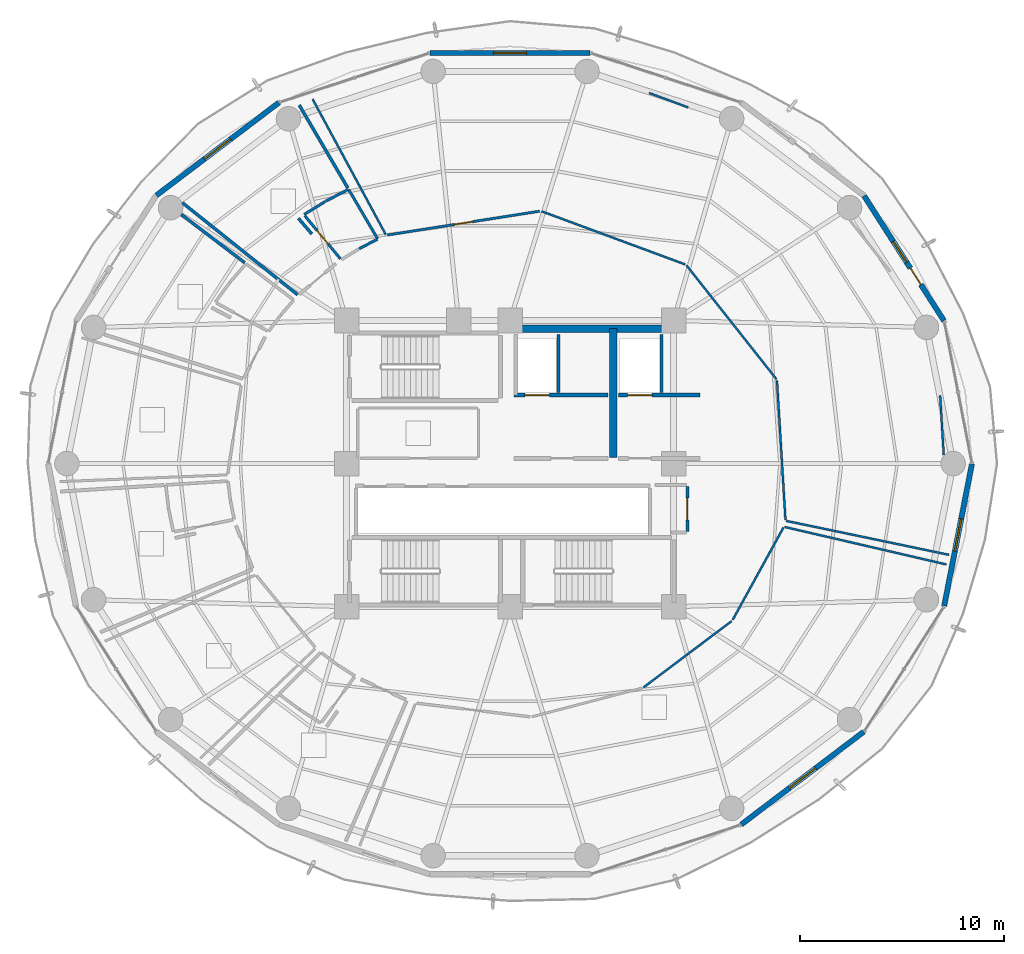
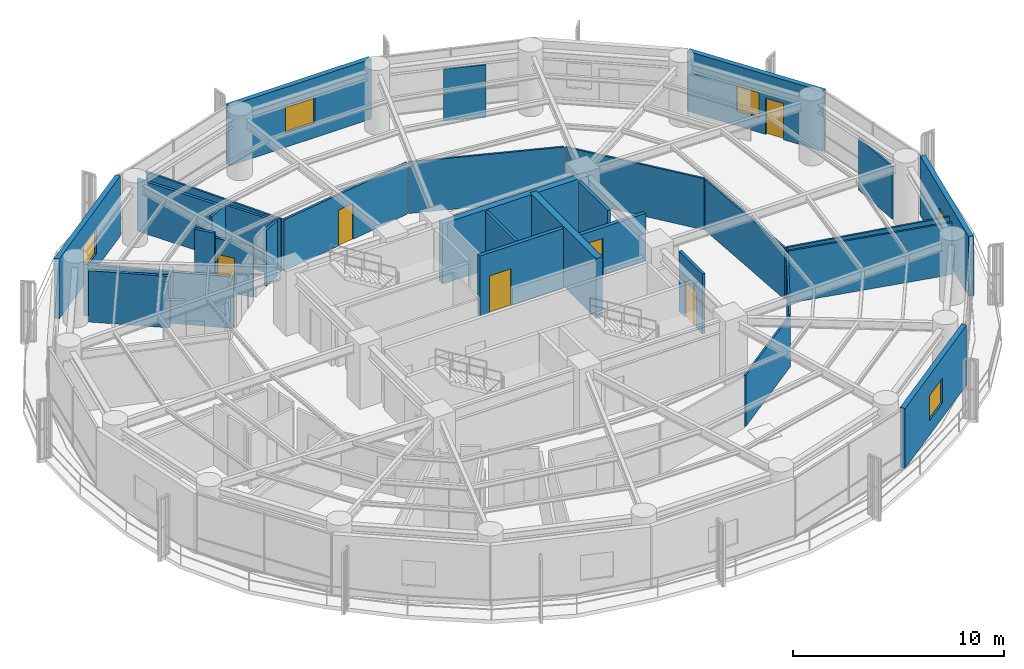
# One storey, part 23 of 27: 32 walls, 6 doors, 5 windows, 11 openings.
"""IFC4 building model written with IfcOpenShell, lengths in metres."""

from ifc_helpers import new_model, si_unit, direction, frame, frame_2d, origin, place, context, subcontext, project, spatial, rectangle, extrude, material, layer, layer_set, type_object, element, fill, save


model = new_model("IFC4")

# Units and contexts
model_context = context("Model", 3, precision=1e-05, world=origin(), true_north=direction((0.0, 1.0)))
body_context = subcontext(model_context, "Body", "Model", "MODEL_VIEW")
ifc_project = project(units=[si_unit("LENGTHUNIT", "METRE"), si_unit("AREAUNIT", "SQUARE_METRE"), si_unit("VOLUMEUNIT", "CUBIC_METRE"), si_unit("PLANEANGLEUNIT", "RADIAN"), si_unit("MASSUNIT", "GRAM", prefix="KILO")], contexts=[model_context])

# Site, building, storey
site_placement = place(None, origin())
site = spatial("IfcSite", under=ifc_project, at=site_placement, CompositionType="ELEMENT")
building_placement = place(site_placement, origin())
building = spatial("IfcBuilding", under=site, at=building_placement, Name="Kelanora Arch Commons", CompositionType="ELEMENT")
storey_placement = place(building_placement, frame((0.0, 0.0, 154.35009765625)))
storey = spatial("IfcBuildingStorey", under=building, at=storey_placement, Name="L39", CompositionType="ELEMENT", Elevation=154.35009765625)

# Walls
ifc_material_1 = material(Name="Autoclaved aerated concrete blockwork with fire plaster", Category="masonry")
ifc_layer_1 = layer(ifc_material_1, 0.14990234375)
ifc_layer_set_1 = layer_set([ifc_layer_1], Name="Autoclaved aerated concrete blockwork with fire plaster")
wall_type_1 = type_object("IfcWallType", Name="W-COMP-150", PredefinedType="PARTITIONING", material=ifc_layer_set_1)
for number, where, z_axis, x_axis, name in (
    (1, (76.360107421875, 61.47998046875, 0.0), (0.0, 0.0, 1.0), (0.0, 1.0, 0.0), "Firefighting Lift 1 East Shaft Wall L39"),
    (2, (81.419921875, 61.47998046875, 0.0), (0.0, 0.0, 1.0), (0.0, 1.0, 0.0), "Firefighting Lift 2 East Shaft Wall L39"),
):
    element("IfcWall", number, at=place(storey_placement, frame(where, z_axis=z_axis, x_axis=x_axis)), inside=storey, type_object=wall_type_1, Name=name, PredefinedType="PARTITIONING", context=body_context, shape_type="SweptSolid", body=[
        extrude(rectangle(XDim=2.840087890625, YDim=0.14990234375, at=frame_2d((1.419921875, 0.0))), origin(), (0.0, 0.0, 1.0), 3.47998046875),
    ])

# Wall, opening, door
wall_1_placement = place(storey_placement, frame((82.679931640625, 54.679931640625, 0.0), z_axis=(0.0, 0.0, 1.0), x_axis=(0.0, 1.0, 0.0)))
wall_1 = element("IfcWall", 3, at=wall_1_placement, inside=storey, type_object=wall_type_1, Name="Core Housekeeping Store L39 Entry Partition", PredefinedType="PARTITIONING", context=body_context, shape_type="SweptSolid", body=[
    extrude(rectangle(XDim=2.2099609375, YDim=0.14990234375, at=frame_2d((1.10498046875, 0.0))), origin(), (0.0, 0.0, 1.0), 3.47998046875),
])
opening_1_placement = place(wall_1_placement, frame((0.56494140625, 0.0, 0.0)))
opening_1 = element("IfcOpeningElement", 4, at=opening_1_placement, cuts=wall_1, Name="Opening D-PLT1", PredefinedType="OPENING", context=body_context, shape_type="SweptSolid", body=[
    extrude(rectangle(XDim=1.080078125, YDim=2.10009765625, at=frame_2d((0.5400390625, 1.050048828125))), frame((0.0, 0.0849609375, 0.0), z_axis=(0.0, -1.0, 0.0), x_axis=(1.0, 0.0, 0.0)), (0.0, 0.0, 1.0), 0.169921875),
])
ifc_material_2 = material(Name="Galvanised steel plant and riser fire door", Category="steel")
door_type_1 = type_object("IfcDoorType", Name="D-PLT-110", OperationType="NOTDEFINED", PredefinedType="DOOR", material=ifc_material_2)
door_1_placement = place(opening_1_placement, origin())
door_1 = element("IfcDoor", 5, at=door_1_placement, inside=storey, type_object=door_type_1, Name="Core Housekeeping Store L39 Door", OperationType="SINGLE_SWING_LEFT", OverallHeight=2.10009765625, OverallWidth=1.080078125, PredefinedType="DOOR", context=body_context, shape_type="SweptSolid", body=[
    extrude(rectangle(XDim=1.080078125, YDim=2.10009765625, at=frame_2d((0.5400390625, 1.050048828125))), frame((0.0, 0.02490234375, 0.0), z_axis=(0.0, -1.0, 0.0), x_axis=(1.0, 0.0, 0.0)), (0.0, 0.0, 1.0), 0.050048828125),
])
fill(opening_1, door_1)

# Walls
wall_2_placement = place(storey_placement, frame((63.607666015625, 66.259033203125, 0.0), z_axis=(0.0, 0.0, 1.0), x_axis=(-0.781429667655, 0.623993328898, 0.0)))
element("IfcWall", 6, at=wall_2_placement, inside=storey, type_object=wall_type_1, Name="Co-Living Studio L39-01 Enclosure Partition 2", PredefinedType="PARTITIONING", context=body_context, shape_type="SweptSolid", body=[
    extrude(rectangle(XDim=7.215576171875, YDim=0.14990234375, at=frame_2d((3.60791015625, 0.0))), origin(), (0.0, 0.0, 1.0), 2.974853515625),
])
wall_3_placement = place(storey_placement, frame((63.688232421875, 75.534423828125, 0.0), z_axis=(0.0, 0.0, 1.0), x_axis=(0.505850409321, -0.862621216636, 0.0)))
element("IfcWall", 7, at=wall_3_placement, inside=storey, type_object=wall_type_1, Name="Co-Living Studio L39-01 Enclosure Partition 5", PredefinedType="PARTITIONING", context=body_context, shape_type="SweptSolid", body=[
    extrude(rectangle(XDim=4.690185546875, YDim=0.14990234375, at=frame_2d((2.34521484375, 0.0))), origin(), (0.0, 0.0, 1.0), 3.02490234375),
])
wall_4_placement = place(storey_placement, frame((63.648193359375, 69.99560546875, 0.0), z_axis=(0.0, 0.0, 1.0), x_axis=(0.651733897109, -0.758447709047, 0.0)))
element("IfcWall", 8, at=wall_4_placement, inside=storey, type_object=wall_type_1, Name="Co-Living Studio L39-01 Enclosure Partition 7", PredefinedType="PARTITIONING", context=body_context, shape_type="SweptSolid", body=[
    extrude(rectangle(XDim=1.001953125, YDim=0.14990234375, at=frame_2d((0.5009765625, 0.0))), origin(), (0.0, 0.0, 1.0), 3.47998046875),
])
wall_5_placement = place(storey_placement, frame((57.918212890625, 70.183837890625, 0.0), z_axis=(0.0, 0.0, 1.0), x_axis=(0.796177895966, -0.605062606657, 0.0)))
element("IfcWall", 9, at=wall_5_placement, inside=storey, type_object=wall_type_1, Name="Co-Living Studio L39-02 Enclosure Partition 5", PredefinedType="PARTITIONING", context=body_context, shape_type="SweptSolid", body=[
    extrude(rectangle(XDim=3.89501953125, YDim=0.14990234375, at=frame_2d((1.947509765625, 0.0))), origin(), (0.0, 0.0, 1.0), 2.974853515625),
])
ifc_material_3 = material(Name="Concrete C50/60", Category="concrete")
ifc_layer_2 = layer(ifc_material_3, 0.35009765625)
ifc_layer_set_2 = layer_set([ifc_layer_2], Name="Concrete C50/60")
wall_type_2 = type_object("IfcWallType", Name="W-CORE-350", PredefinedType="SHEAR", material=ifc_layer_set_2)
wall_6_placement = place(storey_placement, frame((74.0, 64.60009765625, 0.0), z_axis=(0.0, 0.0, 1.0), x_axis=(1.0, 0.0, 0.0)))
element("IfcWall", 10, at=wall_6_placement, inside=storey, type_object=wall_type_2, Name="Core Shear Spine L39-CN-E", PredefinedType="SHEAR", context=body_context, shape_type="SweptSolid", body=[
    extrude(rectangle(XDim=8.0, YDim=0.35009765625, at=frame_2d((4.0, 0.0))), origin(), (0.0, 0.0, 1.0), 3.489990234375),
])
wall_7_placement = place(storey_placement, frame((79.050048828125, 58.300048828125, 0.0), z_axis=(0.0, 0.0, 1.0), x_axis=(0.0, 1.0, 0.0)))
element("IfcWall", 11, at=wall_7_placement, inside=storey, type_object=wall_type_2, Name="Core Shear Spine L39-CE-N", PredefinedType="SHEAR", context=body_context, shape_type="SweptSolid", body=[
    extrude(rectangle(XDim=6.300048828125, YDim=0.35009765625, at=frame_2d((3.14990234375, 0.0))), origin(), (0.0, 0.0, 1.0), 3.489990234375),
])

# Wall, openings, door, window
ifc_material_4 = material(Name="Precast concrete C40/50 with terracotta rainscreen", Category="masonry")
ifc_layer_3 = layer(ifc_material_4, 0.260009765625)
ifc_layer_set_3 = layer_set([ifc_layer_3], Name="Precast concrete C40/50 with terracotta rainscreen")
wall_type_3 = type_object("IfcWallType", Name="W-EXT-TC", PredefinedType="SOLIDWALL", material=ifc_layer_set_3)
wall_8_placement = place(storey_placement, frame((95.22900390625, 64.98974609375, 0.0), z_axis=(0.0, 0.0, 1.0), x_axis=(-0.538801521808, 0.842432739213, 0.0)))
wall_8 = element("IfcWall", 12, at=wall_8_placement, inside=storey, type_object=wall_type_3, Name="Terracotta Exterior Wall L39-B01", PredefinedType="SOLIDWALL", context=body_context, shape_type="SweptSolid", body=[
    extrude(rectangle(XDim=7.25341796875, YDim=0.260009765625, at=frame_2d((3.626708984375, 0.0))), origin(), (0.0, 0.0, 1.0), 3.474853515625),
])
opening_2_placement = place(wall_8_placement, frame((2.10205078125, 0.0, 0.0)))
opening_2 = element("IfcOpeningElement", 13, at=opening_2_placement, cuts=wall_8, Name="Opening DB-01", PredefinedType="OPENING", context=body_context, shape_type="SweptSolid", body=[
    extrude(rectangle(XDim=0.949951171875, YDim=2.10009765625, at=frame_2d((0.47509765625, 1.050048828125))), frame((0.0, 0.14013671875, 0.0), z_axis=(0.0, -1.0, 0.0), x_axis=(1.0, 0.0, 0.0)), (0.0, 0.0, 1.0), 0.280029296875),
])
opening_3_placement = place(wall_8_placement, frame((3.402099609375, 0.0, 0.85009765625)))
opening_3 = element("IfcOpeningElement", 14, at=opening_3_placement, cuts=wall_8, Name="Opening WN-02", PredefinedType="OPENING", context=body_context, shape_type="SweptSolid", body=[
    extrude(rectangle(XDim=1.199951171875, YDim=1.449951171875, at=frame_2d((0.60009765625, 0.72509765625))), frame((0.0, 0.14013671875, 0.0), z_axis=(0.0, -1.0, 0.0), x_axis=(1.0, 0.0, 0.0)), (0.0, 0.0, 1.0), 0.280029296875),
])
ifc_material_5 = material(Name="Terracotta-aluminium thermally broken glazed balcony door", Category="masonry")
door_type_2 = type_object("IfcDoorType", Name="D-BAL-10", OperationType="NOTDEFINED", PredefinedType="DOOR", material=ifc_material_5)
door_2_placement = place(opening_2_placement, frame((0.949951171875, 0.0, 0.0), z_axis=(0.0, 0.0, 1.0), x_axis=(-1.0, 0.0, 0.0)))
door_2 = element("IfcDoor", 15, at=door_2_placement, inside=storey, type_object=door_type_2, Name="Wave Balcony Door L39-B01", OperationType="SINGLE_SWING_LEFT", OverallHeight=2.10009765625, OverallWidth=0.949951171875, PredefinedType="DOOR", context=body_context, shape_type="SweptSolid", body=[
    extrude(rectangle(XDim=0.949951171875, YDim=2.10009765625, at=frame_2d((0.47509765625, 1.050048828125))), frame((0.0, 0.02490234375, 0.0), z_axis=(0.0, -1.0, 0.0), x_axis=(1.0, 0.0, 0.0)), (0.0, 0.0, 1.0), 0.050048828125),
])
fill(opening_2, door_2)
ifc_material_6 = material(Name="Terracotta-anodised aluminium frame with operable awning sash", Category="masonry")
window_type_1 = type_object("IfcWindowType", Name="WIN-CL-12", PartitioningType="SINGLE_PANEL", PredefinedType="WINDOW", material=ifc_material_6)
window_1_placement = place(opening_3_placement, origin())
window_1 = element("IfcWindow", 16, at=window_1_placement, inside=storey, type_object=window_type_1, Name="Co-Living Operable Window L39-B01", OverallHeight=1.449951171875, OverallWidth=1.199951171875, PartitioningType="SINGLE_PANEL", PredefinedType="WINDOW", context=body_context, shape_type="SweptSolid", body=[
    extrude(rectangle(XDim=1.199951171875, YDim=1.449951171875, at=frame_2d((0.60009765625, 0.72509765625))), frame((0.0, 0.030029296875, 0.0), z_axis=(0.0, -1.0, 0.0), x_axis=(1.0, 0.0, 0.0)), (0.0, 0.0, 1.0), 0.06005859375),
])
fill(opening_3, window_1)

# Wall, opening, window
wall_9_placement = place(storey_placement, frame((77.909423828125, 78.090087890625, 0.0), z_axis=(0.0, 0.0, 1.0), x_axis=(-1.0, 0.0, 0.0)))
wall_9 = element("IfcWall", 17, at=wall_9_placement, inside=storey, type_object=wall_type_3, Name="Terracotta Exterior Wall L39-B04", PredefinedType="SOLIDWALL", context=body_context, shape_type="SweptSolid", body=[
    extrude(rectangle(XDim=7.81884765625, YDim=0.260009765625, at=frame_2d((3.909423828125, 0.0))), origin(), (0.0, 0.0, 1.0), 3.474853515625),
])
opening_4_placement = place(wall_9_placement, frame((3.10888671875, 0.0, 0.85009765625)))
opening_4 = element("IfcOpeningElement", 18, at=opening_4_placement, cuts=wall_9, Name="Opening WN-01", PredefinedType="OPENING", context=body_context, shape_type="SweptSolid", body=[
    extrude(rectangle(XDim=1.60009765625, YDim=1.449951171875, at=frame_2d((0.800048828125, 0.72509765625))), frame((0.0, 0.14013671875, 0.0), z_axis=(0.0, -1.0, 0.0), x_axis=(1.0, 0.0, 0.0)), (0.0, 0.0, 1.0), 0.280029296875),
])
ifc_material_7 = material(Name="Terracotta-anodised aluminium frame with operable low-E glazing", Category="masonry")
window_type_2 = type_object("IfcWindowType", Name="WIN-CL-18", PartitioningType="DOUBLE_PANEL_VERTICAL", PredefinedType="WINDOW", material=ifc_material_7)
window_2_placement = place(opening_4_placement, origin())
window_2 = element("IfcWindow", 19, at=window_2_placement, inside=storey, type_object=window_type_2, Name="Co-Living Operable Window L39-B04", OverallHeight=1.449951171875, OverallWidth=1.60009765625, PartitioningType="SINGLE_PANEL", PredefinedType="WINDOW", context=body_context, shape_type="SweptSolid", body=[
    extrude(rectangle(XDim=1.60009765625, YDim=1.449951171875, at=frame_2d((0.800048828125, 0.72509765625))), frame((0.0, 0.030029296875, 0.0), z_axis=(0.0, -1.0, 0.0), x_axis=(1.0, 0.0, 0.0)), (0.0, 0.0, 1.0), 0.06005859375),
])
fill(opening_4, window_2)

wall_10_placement = place(storey_placement, frame((62.68798828125, 75.65771484375, 0.0), z_axis=(0.0, 0.0, 1.0), x_axis=(-0.797163719609, -0.603763202042, 0.0)))
wall_10 = element("IfcWall", 20, at=wall_10_placement, inside=storey, type_object=wall_type_3, Name="Terracotta Exterior Wall L39-B06", PredefinedType="SOLIDWALL", context=body_context, shape_type="SweptSolid", body=[
    extrude(rectangle(XDim=7.51220703125, YDim=0.260009765625, at=frame_2d((3.756103515625, 0.0))), origin(), (0.0, 0.0, 1.0), 3.474853515625),
])
opening_5_placement = place(wall_10_placement, frame((2.9560546875, 0.0, 0.85009765625)))
opening_5 = element("IfcOpeningElement", 21, at=opening_5_placement, cuts=wall_10, Name="Opening WN-01", PredefinedType="OPENING", context=body_context, shape_type="SweptSolid", body=[
    extrude(rectangle(XDim=1.60009765625, YDim=1.449951171875, at=frame_2d((0.800048828125, 0.72509765625))), frame((0.0, 0.14013671875, 0.0), z_axis=(0.0, -1.0, 0.0), x_axis=(1.0, 0.0, 0.0)), (0.0, 0.0, 1.0), 0.280029296875),
])
window_3_placement = place(opening_5_placement, origin())
window_3 = element("IfcWindow", 22, at=window_3_placement, inside=storey, type_object=window_type_2, Name="Co-Living Operable Window L39-B06", OverallHeight=1.449951171875, OverallWidth=1.60009765625, PartitioningType="SINGLE_PANEL", PredefinedType="WINDOW", context=body_context, shape_type="SweptSolid", body=[
    extrude(rectangle(XDim=1.60009765625, YDim=1.449951171875, at=frame_2d((0.800048828125, 0.72509765625))), frame((0.0, 0.030029296875, 0.0), z_axis=(0.0, -1.0, 0.0), x_axis=(1.0, 0.0, 0.0)), (0.0, 0.0, 1.0), 0.06005859375),
])
fill(opening_5, window_3)

wall_11_placement = place(storey_placement, frame((85.31201171875, 40.34228515625, 0.0), z_axis=(0.0, 0.0, 1.0), x_axis=(0.797163719609, 0.603763202042, 0.0)))
wall_11 = element("IfcWall", 23, at=wall_11_placement, inside=storey, type_object=wall_type_3, Name="Terracotta Exterior Wall L39-B15", PredefinedType="SOLIDWALL", context=body_context, shape_type="SweptSolid", body=[
    extrude(rectangle(XDim=7.51220703125, YDim=0.260009765625, at=frame_2d((3.756103515625, 0.0))), origin(), (0.0, 0.0, 1.0), 3.474853515625),
])
opening_6_placement = place(wall_11_placement, frame((2.9560546875, 0.0, 0.85009765625)))
opening_6 = element("IfcOpeningElement", 24, at=opening_6_placement, cuts=wall_11, Name="Opening WN-01", PredefinedType="OPENING", context=body_context, shape_type="SweptSolid", body=[
    extrude(rectangle(XDim=1.60009765625, YDim=1.449951171875, at=frame_2d((0.800048828125, 0.72509765625))), frame((0.0, 0.14013671875, 0.0), z_axis=(0.0, -1.0, 0.0), x_axis=(1.0, 0.0, 0.0)), (0.0, 0.0, 1.0), 0.280029296875),
])
window_4_placement = place(opening_6_placement, origin())
window_4 = element("IfcWindow", 25, at=window_4_placement, inside=storey, type_object=window_type_2, Name="Co-Living Operable Window L39-B15", OverallHeight=1.449951171875, OverallWidth=1.60009765625, PartitioningType="SINGLE_PANEL", PredefinedType="WINDOW", context=body_context, shape_type="SweptSolid", body=[
    extrude(rectangle(XDim=1.60009765625, YDim=1.449951171875, at=frame_2d((0.800048828125, 0.72509765625))), frame((0.0, 0.030029296875, 0.0), z_axis=(0.0, -1.0, 0.0), x_axis=(1.0, 0.0, 0.0)), (0.0, 0.0, 1.0), 0.06005859375),
])
fill(opening_6, window_4)

wall_12_placement = place(storey_placement, frame((95.239990234375, 51.03759765625, 0.0), z_axis=(0.0, 0.0, 1.0), x_axis=(0.191716984769, 0.981450252306, 0.0)))
wall_12 = element("IfcWall", 26, at=wall_12_placement, inside=storey, type_object=wall_type_3, Name="Terracotta Exterior Wall L39-B17", PredefinedType="SOLIDWALL", context=body_context, shape_type="SweptSolid", body=[
    extrude(rectangle(XDim=7.0791015625, YDim=0.260009765625, at=frame_2d((3.53955078125, 0.0))), origin(), (0.0, 0.0, 1.0), 3.474853515625),
])
opening_7_placement = place(wall_12_placement, frame((2.739990234375, 0.0, 0.85009765625)))
opening_7 = element("IfcOpeningElement", 27, at=opening_7_placement, cuts=wall_12, Name="Opening WN-01", PredefinedType="OPENING", context=body_context, shape_type="SweptSolid", body=[
    extrude(rectangle(XDim=1.60009765625, YDim=1.449951171875, at=frame_2d((0.800048828125, 0.72509765625))), frame((0.0, 0.14013671875, 0.0), z_axis=(0.0, -1.0, 0.0), x_axis=(1.0, 0.0, 0.0)), (0.0, 0.0, 1.0), 0.280029296875),
])
window_5_placement = place(opening_7_placement, origin())
window_5 = element("IfcWindow", 28, at=window_5_placement, inside=storey, type_object=window_type_2, Name="Co-Living Operable Window L39-B17", OverallHeight=1.449951171875, OverallWidth=1.60009765625, PartitioningType="SINGLE_PANEL", PredefinedType="WINDOW", context=body_context, shape_type="SweptSolid", body=[
    extrude(rectangle(XDim=1.60009765625, YDim=1.449951171875, at=frame_2d((0.800048828125, 0.72509765625))), frame((0.0, 0.030029296875, 0.0), z_axis=(0.0, -1.0, 0.0), x_axis=(1.0, 0.0, 0.0)), (0.0, 0.0, 1.0), 0.06005859375),
])
fill(opening_7, window_5)

# Wall, opening, door
ifc_material_8 = material(Name="Concrete C40/50", Category="concrete")
ifc_layer_4 = layer(ifc_material_8, 0.199951171875)
ifc_layer_set_4 = layer_set([ifc_layer_4], Name="Concrete C40/50")
wall_type_4 = type_object("IfcWallType", Name="W-FFL-200", PredefinedType="SOLIDWALL", material=ifc_layer_set_4)
wall_13_placement = place(storey_placement, frame((74.199951171875, 61.35009765625, 0.0), z_axis=(0.0, 0.0, 1.0), x_axis=(1.0, 0.0, 0.0)))
wall_13 = element("IfcWall", 29, at=wall_13_placement, inside=storey, type_object=wall_type_4, Name="Firefighting Lift 1 Shaft Front L39", PredefinedType="SOLIDWALL", context=body_context, shape_type="SweptSolid", body=[
    extrude(rectangle(XDim=4.60009765625, YDim=0.199951171875, at=frame_2d((2.300048828125, 0.0))), origin(), (0.0, 0.0, 1.0), 3.47998046875),
])
opening_8_placement = place(wall_13_placement, frame((0.52001953125, 0.0, 0.0)))
opening_8 = element("IfcOpeningElement", 30, at=opening_8_placement, cuts=wall_13, Name="Opening LD-FF", PredefinedType="OPENING", context=body_context, shape_type="SweptSolid", body=[
    extrude(rectangle(XDim=1.199951171875, YDim=2.14990234375, at=frame_2d((0.60009765625, 1.074951171875))), frame((0.0, 0.10986328125, 0.0), z_axis=(0.0, -1.0, 0.0), x_axis=(1.0, 0.0, 0.0)), (0.0, 0.0, 1.0), 0.219970703125),
])
ifc_material_9 = material(Name="Fire-rated firefighters lift sliding landing door")
door_type_3 = type_object("IfcDoorType", Name="D-LIFT-FF", OperationType="NOTDEFINED", PredefinedType="DOOR", material=ifc_material_9)
door_3_placement = place(opening_8_placement, origin())
door_3 = element("IfcDoor", 31, at=door_3_placement, inside=storey, type_object=door_type_3, Name="Firefighting Lift LF-FF1 Landing Door L39", OperationType="DOUBLE_DOOR_SLIDING", OverallHeight=2.14990234375, OverallWidth=1.199951171875, PredefinedType="DOOR", context=body_context, shape_type="SweptSolid", body=[
    extrude(rectangle(XDim=1.199951171875, YDim=2.14990234375, at=frame_2d((0.60009765625, 1.074951171875))), frame((0.0, 0.02490234375, 0.0), z_axis=(0.0, -1.0, 0.0), x_axis=(1.0, 0.0, 0.0)), (0.0, 0.0, 1.0), 0.050048828125),
])
fill(opening_8, door_3)

wall_14_placement = place(storey_placement, frame((79.300048828125, 61.35009765625, 0.0), z_axis=(0.0, 0.0, 1.0), x_axis=(1.0, 0.0, 0.0)))
wall_14 = element("IfcWall", 32, at=wall_14_placement, inside=storey, type_object=wall_type_4, Name="Firefighting Lift 2 Shaft Front L39", PredefinedType="SOLIDWALL", context=body_context, shape_type="SweptSolid", body=[
    extrude(rectangle(XDim=4.0, YDim=0.199951171875, at=frame_2d((2.0, 0.0))), origin(), (0.0, 0.0, 1.0), 2.77490234375),
])
opening_9_placement = place(wall_14_placement, frame((0.449951171875, 0.0, 0.0)))
opening_9 = element("IfcOpeningElement", 33, at=opening_9_placement, cuts=wall_14, Name="Opening LD-FF", PredefinedType="OPENING", context=body_context, shape_type="SweptSolid", body=[
    extrude(rectangle(XDim=1.199951171875, YDim=2.14990234375, at=frame_2d((0.60009765625, 1.074951171875))), frame((0.0, 0.10986328125, 0.0), z_axis=(0.0, -1.0, 0.0), x_axis=(1.0, 0.0, 0.0)), (0.0, 0.0, 1.0), 0.219970703125),
])
door_4_placement = place(opening_9_placement, origin())
door_4 = element("IfcDoor", 34, at=door_4_placement, inside=storey, type_object=door_type_3, Name="Firefighting Lift LF-FF2 Landing Door L39", OperationType="DOUBLE_DOOR_SLIDING", OverallHeight=2.14990234375, OverallWidth=1.199951171875, PredefinedType="DOOR", context=body_context, shape_type="SweptSolid", body=[
    extrude(rectangle(XDim=1.199951171875, YDim=2.14990234375, at=frame_2d((0.60009765625, 1.074951171875))), frame((0.0, 0.02490234375, 0.0), z_axis=(0.0, -1.0, 0.0), x_axis=(1.0, 0.0, 0.0)), (0.0, 0.0, 1.0), 0.050048828125),
])
fill(opening_9, door_4)

# Walls
ifc_material_10 = material(Name="Lightweight fire-rated acoustic stud partition")
ifc_layer_5 = layer(ifc_material_10, 0.10009765625)
ifc_layer_set_5 = layer_set([ifc_layer_5], Name="Lightweight fire-rated acoustic stud partition")
wall_type_5 = type_object("IfcWallType", Name="W-PART-100", PredefinedType="PARTITIONING", material=ifc_layer_set_5)
wall_15_placement = place(storey_placement, frame((80.534912109375, 47.053955078125, 0.0), z_axis=(0.0, 0.0, 1.0), x_axis=(0.799096406603, 0.601202904979, 0.0)))
element("IfcWall", 35, at=wall_15_placement, inside=storey, type_object=wall_type_5, Name="South-East Shared Study Commons L39 Enclosure Partition 3", PredefinedType="PARTITIONING", context=body_context, shape_type="SweptSolid", body=[
    extrude(rectangle(XDim=5.387451171875, YDim=0.10009765625, at=frame_2d((2.69384765625, 0.0))), origin(), (0.0, 0.0, 1.0), 2.974853515625),
])
wall_16_placement = place(storey_placement, frame((84.891357421875, 50.35205078125, 0.0), z_axis=(0.0, 0.0, 1.0), x_axis=(0.481680787808, 0.876346745676, 0.0)))
element("IfcWall", 36, at=wall_16_placement, inside=storey, type_object=wall_type_5, Name="South-East Shared Study Commons L39 Enclosure Partition 4", PredefinedType="PARTITIONING", context=body_context, shape_type="SweptSolid", body=[
    extrude(rectangle(XDim=5.15966796875, YDim=0.10009765625, at=frame_2d((2.579833984375, 0.0))), origin(), (0.0, 0.0, 1.0), 2.974853515625),
])
wall_17_placement = place(storey_placement, frame((87.43505859375, 54.89990234375, 0.0), z_axis=(0.0, 0.0, 1.0), x_axis=(0.97414388338, -0.225928516292, 0.0)))
element("IfcWall", 37, at=wall_17_placement, inside=storey, type_object=wall_type_5, Name="South-East Shared Study Commons L39 Enclosure Partition 5", PredefinedType="PARTITIONING", context=body_context, shape_type="SweptSolid", body=[
    extrude(rectangle(XDim=8.121826171875, YDim=0.10009765625, at=frame_2d((4.06103515625, 0.0))), origin(), (0.0, 0.0, 1.0), 3.02490234375),
])
wall_18_placement = place(storey_placement, frame((87.4736328125, 55.243896484375, 0.0), z_axis=(0.0, 0.0, 1.0), x_axis=(-0.060688331813, 0.998156764432, 0.0)))
element("IfcWall", 38, at=wall_18_placement, inside=storey, type_object=wall_type_5, Name="North-East Shared Cluster Kitchen L39 Enclosure Partition 1", PredefinedType="PARTITIONING", context=body_context, shape_type="SweptSolid", body=[
    extrude(rectangle(XDim=6.826904296875, YDim=0.10009765625, at=frame_2d((3.41357421875, 0.0))), origin(), (0.0, 0.0, 1.0), 2.974853515625),
])
wall_19_placement = place(storey_placement, frame((87.0322265625, 62.12939453125, 0.0), z_axis=(0.0, 0.0, 1.0), x_axis=(-0.619933209612, 0.784654583636, 0.0)))
element("IfcWall", 39, at=wall_19_placement, inside=storey, type_object=wall_type_5, Name="North-East Shared Cluster Kitchen L39 Enclosure Partition 2", PredefinedType="PARTITIONING", context=body_context, shape_type="SweptSolid", body=[
    extrude(rectangle(XDim=7.094970703125, YDim=0.10009765625, at=frame_2d((3.54736328125, 0.0))), origin(), (0.0, 0.0, 1.0), 2.974853515625),
])
wall_20_placement = place(storey_placement, frame((82.571533203125, 67.741943359375, 0.0), z_axis=(0.0, 0.0, 1.0), x_axis=(-0.937874459602, 0.346974780101, 0.0)))
element("IfcWall", 40, at=wall_20_placement, inside=storey, type_object=wall_type_5, Name="North-East Shared Cluster Kitchen L39 Enclosure Partition 3", PredefinedType="PARTITIONING", context=body_context, shape_type="SweptSolid", body=[
    extrude(rectangle(XDim=7.49365234375, YDim=0.10009765625, at=frame_2d((3.746826171875, 0.0))), origin(), (0.0, 0.0, 1.0), 2.974853515625),
])
wall_21_placement = place(storey_placement, frame((67.91796875, 69.207275390625, 0.0), z_axis=(0.0, 0.0, 1.0), x_axis=(-0.475160964166, 0.879898890858, 0.0)))
element("IfcWall", 41, at=wall_21_placement, inside=storey, type_object=wall_type_5, Name="North-East Shared Cluster Kitchen L39 Enclosure Partition 5", PredefinedType="PARTITIONING", context=body_context, shape_type="SweptSolid", body=[
    extrude(rectangle(XDim=7.52978515625, YDim=0.10009765625, at=frame_2d((3.764892578125, 0.0))), origin(), (0.0, 0.0, 1.0), 3.02490234375),
])
wall_22_placement = place(storey_placement, frame((80.80126953125, 76.1318359375, 0.0), z_axis=(0.0, 0.0, 1.0), x_axis=(0.93765088322, -0.347578510839, 0.0)))
element("IfcWall", 42, at=wall_22_placement, inside=storey, type_object=wall_type_5, Name="North-East Shared Cluster Kitchen L39 Enclosure Partition 7", PredefinedType="PARTITIONING", context=body_context, shape_type="SweptSolid", body=[
    extrude(rectangle(XDim=2.046875, YDim=0.10009765625, at=frame_2d((1.0234375, 0.0))), origin(), (0.0, 0.0, 1.0), 3.02490234375),
])
wall_23_placement = place(storey_placement, frame((95.040771484375, 61.32861328125, 0.0), z_axis=(0.0, 0.0, 1.0), x_axis=(0.060573475309, -0.998163741121, 0.0)))
element("IfcWall", 43, at=wall_23_placement, inside=storey, type_object=wall_type_5, Name="North-East Shared Cluster Kitchen L39 Enclosure Partition 9", PredefinedType="PARTITIONING", context=body_context, shape_type="SweptSolid", body=[
    extrude(rectangle(XDim=2.9140625, YDim=0.10009765625, at=frame_2d((1.45703125, 0.0))), origin(), (0.0, 0.0, 1.0), 3.02490234375),
])
wall_24_placement = place(storey_placement, frame((95.474853515625, 53.5361328125, 0.0), z_axis=(0.0, 0.0, 1.0), x_axis=(-0.978946183013, 0.204118521367, 0.0)))
element("IfcWall", 44, at=wall_24_placement, inside=storey, type_object=wall_type_5, Name="North-East Shared Cluster Kitchen L39 Enclosure Partition 10", PredefinedType="PARTITIONING", context=body_context, shape_type="SweptSolid", body=[
    extrude(rectangle(XDim=8.130859375, YDim=0.10009765625, at=frame_2d((4.0654296875, 0.0))), origin(), (0.0, 0.0, 1.0), 3.02490234375),
])

# Wall, opening, door
ifc_material_11 = material(Name="Acoustic twin-stud fire-rated gypsum partition")
ifc_layer_6 = layer(ifc_material_11, 0.1201171875)
ifc_layer_set_6 = layer_set([ifc_layer_6], Name="Acoustic twin-stud fire-rated gypsum partition")
wall_type_6 = type_object("IfcWallType", Name="W-PART-120", PredefinedType="PARTITIONING", material=ifc_layer_set_6)
wall_25_placement = place(storey_placement, frame((75.44677734375, 70.3466796875, 0.0), z_axis=(0.0, 0.0, 1.0), x_axis=(-0.987988721118, -0.154526007337, 0.0)))
wall_25 = element("IfcWall", 45, at=wall_25_placement, inside=storey, type_object=wall_type_6, Name="North-East Shared Cluster Kitchen L39 Entry Partition", PredefinedType="PARTITIONING", context=body_context, shape_type="SweptSolid", body=[
    extrude(rectangle(XDim=7.541015625, YDim=0.1201171875, at=frame_2d((3.7705078125, 0.0))), origin(), (0.0, 0.0, 1.0), 2.974853515625),
])
opening_10_placement = place(wall_25_placement, frame((3.320068359375, 0.0, 0.0)))
opening_10 = element("IfcOpeningElement", 46, at=opening_10_placement, cuts=wall_25, Name="Opening D-RM1", PredefinedType="OPENING", context=body_context, shape_type="SweptSolid", body=[
    extrude(rectangle(XDim=0.89990234375, YDim=2.080078125, at=frame_2d((0.449951171875, 1.0400390625))), frame((0.0, 0.070068359375, 0.0), z_axis=(0.0, -1.0, 0.0), x_axis=(1.0, 0.0, 0.0)), (0.0, 0.0, 1.0), 0.14013671875),
])
ifc_material_12 = material(Name="Acoustic fire-rated timber study and lounge door", Category="wood")
door_type_4 = type_object("IfcDoorType", Name="D-ROOM-90", OperationType="NOTDEFINED", PredefinedType="DOOR", material=ifc_material_12)
door_5_placement = place(opening_10_placement, origin())
door_5 = element("IfcDoor", 47, at=door_5_placement, inside=storey, type_object=door_type_4, Name="North-East Shared Cluster Kitchen L39 Door", OperationType="SINGLE_SWING_RIGHT", OverallHeight=2.080078125, OverallWidth=0.89990234375, PredefinedType="DOOR", context=body_context, shape_type="SweptSolid", body=[
    extrude(rectangle(XDim=0.89990234375, YDim=2.080078125, at=frame_2d((0.449951171875, 1.0400390625))), frame((0.0, 0.02490234375, 0.0), z_axis=(0.0, -1.0, 0.0), x_axis=(1.0, 0.0, 0.0)), (0.0, 0.0, 1.0), 0.050048828125),
])
fill(opening_10, door_5)

ifc_material_13 = material(Name="Moisture-resistant fire-rated cement-board plumbing wall")
ifc_layer_7 = layer(ifc_material_13, 0.1298828125)
ifc_layer_set_7 = layer_set([ifc_layer_7], Name="Moisture-resistant fire-rated cement-board plumbing wall")
wall_type_7 = type_object("IfcWallType", Name="W-WET-120", PredefinedType="PLUMBINGWALL", material=ifc_layer_set_7)
wall_26_placement = place(storey_placement, frame((65.701904296875, 68.016357421875, 0.0), z_axis=(0.0, 0.0, 1.0), x_axis=(-0.636757315483, 0.771064278241, 0.0)))
wall_26 = element("IfcWall", 48, at=wall_26_placement, inside=storey, type_object=wall_type_7, Name="En-Suite Shower WC L39-01 Entry Partition", PredefinedType="PLUMBINGWALL", context=body_context, shape_type="SweptSolid", body=[
    extrude(rectangle(XDim=2.744873046875, YDim=0.1298828125, at=frame_2d((1.37255859375, 0.0))), origin(), (0.0, 0.0, 1.0), 2.974853515625),
])
opening_11_placement = place(wall_26_placement, frame((0.94189453125, 0.0, 0.0)))
opening_11 = element("IfcOpeningElement", 49, at=opening_11_placement, cuts=wall_26, Name="Opening D-BT1", PredefinedType="OPENING", context=body_context, shape_type="SweptSolid", body=[
    extrude(rectangle(XDim=0.860107421875, YDim=2.050048828125, at=frame_2d((0.43017578125, 1.02490234375))), frame((0.0, 0.074951171875, 0.0), z_axis=(0.0, -1.0, 0.0), x_axis=(1.0, 0.0, 0.0)), (0.0, 0.0, 1.0), 0.14990234375),
])
ifc_material_14 = material(Name="Moisture-sealed fire-rated accessible bathroom door")
door_type_5 = type_object("IfcDoorType", Name="D-BATH-85", OperationType="NOTDEFINED", PredefinedType="DOOR", material=ifc_material_14)
door_6_placement = place(opening_11_placement, origin())
door_6 = element("IfcDoor", 50, at=door_6_placement, inside=storey, type_object=door_type_5, Name="En-Suite Shower WC L39-01 Door", OperationType="SINGLE_SWING_LEFT", OverallHeight=2.050048828125, OverallWidth=0.860107421875, PredefinedType="DOOR", context=body_context, shape_type="SweptSolid", body=[
    extrude(rectangle(XDim=0.860107421875, YDim=2.050048828125, at=frame_2d((0.43017578125, 1.02490234375))), frame((0.0, 0.02490234375, 0.0), z_axis=(0.0, -1.0, 0.0), x_axis=(1.0, 0.0, 0.0)), (0.0, 0.0, 1.0), 0.050048828125),
])
fill(opening_11, door_6)

# Walls
wall_27_placement = place(storey_placement, frame((67.51123046875, 68.975830078125, 0.0), z_axis=(0.0, 0.0, 1.0), x_axis=(-0.88687840459, -0.462002917168, 0.0)))
element("IfcWall", 51, at=wall_27_placement, inside=storey, type_object=wall_type_7, Name="En-Suite Shower WC L39-01 Enclosure Partition 1", PredefinedType="PLUMBINGWALL", context=body_context, shape_type="SweptSolid", body=[
    extrude(rectangle(XDim=0.992919921875, YDim=0.1298828125, at=frame_2d((0.49658203125, 0.0))), origin(), (0.0, 0.0, 1.0), 3.23486328125),
])
wall_28_placement = place(storey_placement, frame((63.93310546875, 70.189453125, 0.0), z_axis=(0.0, 0.0, 1.0), x_axis=(0.851319302067, 0.524647925688, 0.0)))
element("IfcWall", 52, at=wall_28_placement, inside=storey, type_object=wall_type_7, Name="En-Suite Shower WC L39-01 Enclosure Partition 4", PredefinedType="PLUMBINGWALL", context=body_context, shape_type="SweptSolid", body=[
    extrude(rectangle(XDim=1.212158203125, YDim=0.1298828125, at=frame_2d((0.60595703125, 0.0))), origin(), (0.0, 0.0, 1.0), 2.974853515625),
])
wall_29_placement = place(storey_placement, frame((64.999755859375, 70.84521484375, 0.0), z_axis=(0.0, 0.0, 1.0), x_axis=(0.886527747476, 0.462675429383, 0.0)))
element("IfcWall", 53, at=wall_29_placement, inside=storey, type_object=wall_type_7, Name="En-Suite Shower WC L39-01 Enclosure Partition 5", PredefinedType="PLUMBINGWALL", context=body_context, shape_type="SweptSolid", body=[
    extrude(rectangle(XDim=1.219970703125, YDim=0.1298828125, at=frame_2d((0.60986328125, 0.0))), origin(), (0.0, 0.0, 1.0), 3.1748046875),
])
wall_30_placement = place(storey_placement, frame((66.109130859375, 71.40185546875, 0.0), z_axis=(0.0, 0.0, 1.0), x_axis=(0.506513995599, -0.862231739304, 0.0)))
element("IfcWall", 54, at=wall_30_placement, inside=storey, type_object=wall_type_7, Name="En-Suite Shower WC L39-01 Enclosure Partition 6", PredefinedType="PLUMBINGWALL", context=body_context, shape_type="SweptSolid", body=[
    extrude(rectangle(XDim=2.782958984375, YDim=0.1298828125, at=frame_2d((1.3916015625, 0.0))), origin(), (0.0, 0.0, 1.0), 3.1748046875),
])

save(model, "model.ifc")
